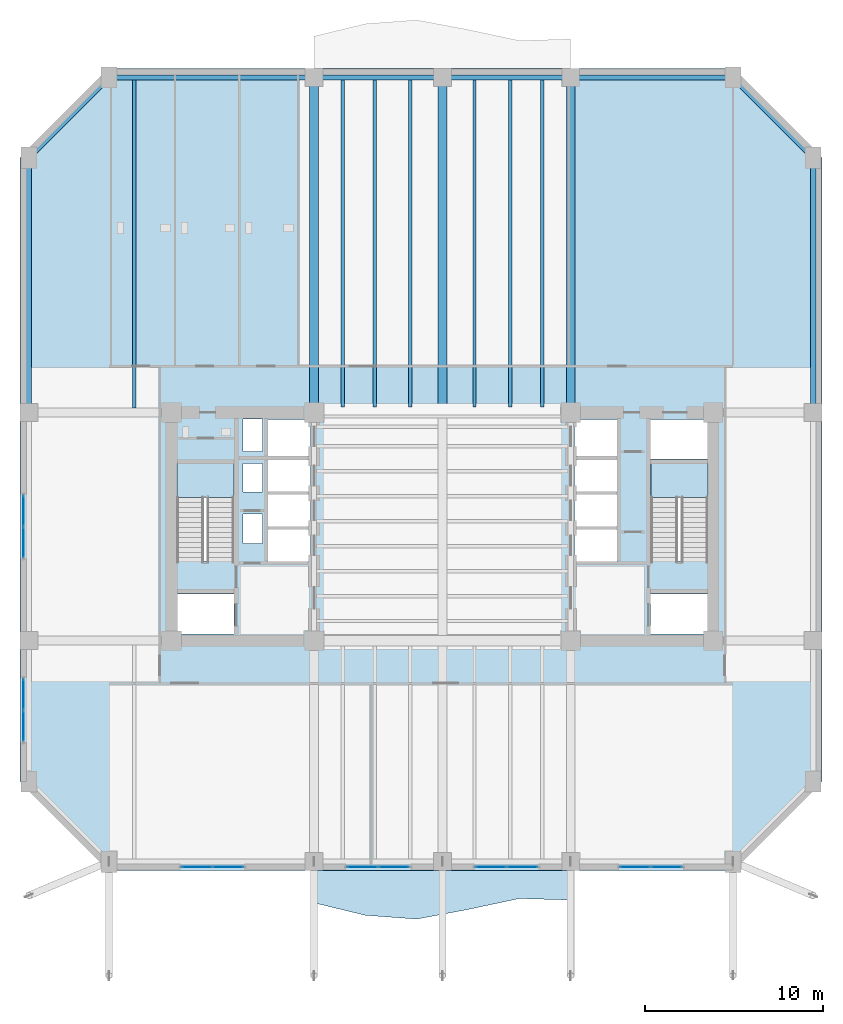
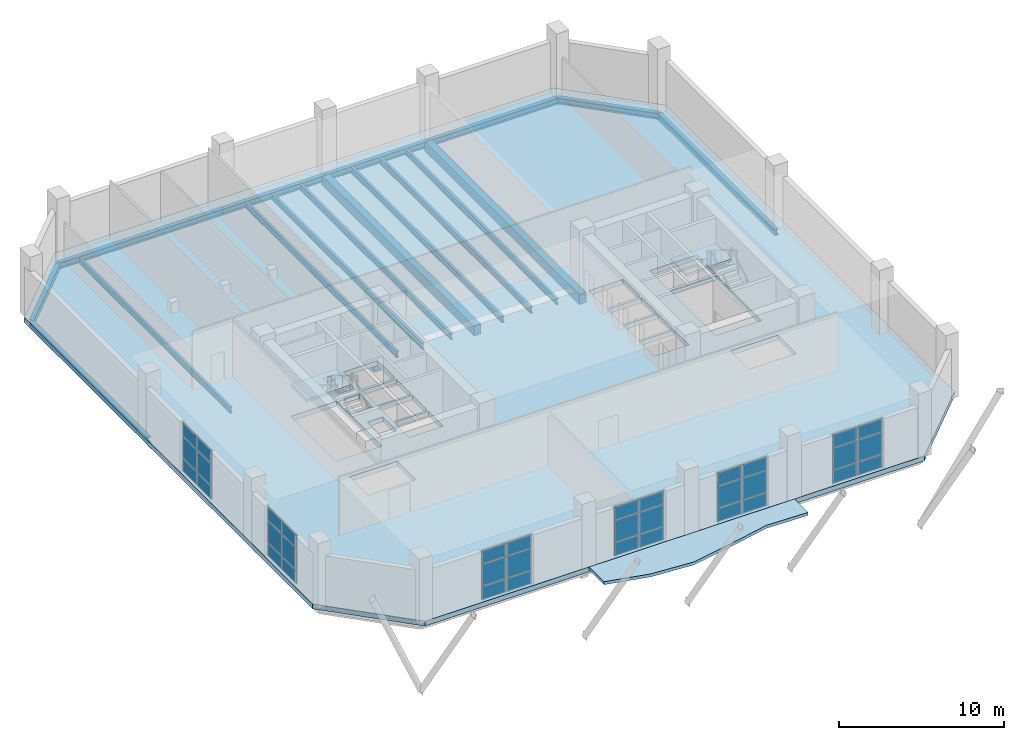
# One storey, part 5 of 16: 36 plates, 18 beams, 4 slabs, 8 elements without a shape of their own.
"""IFC4 building model written with IfcOpenShell, lengths in metres."""

from ifc_helpers import new_model, si_unit, direction, frame, origin, origin_2d, place, context, subcontext, project, spatial, polyline, rectangle, i_section, outline, extrude, material, layer, layer_set, material_profile, profile_set, type_object, element, aggregate, save


model = new_model("IFC4")

# Units and contexts
model_context = context("Model", 3, precision=1e-05, world=origin(), true_north=direction((0.0, 1.0)))
body_context = subcontext(model_context, "Body", "Model", "MODEL_VIEW")
ifc_project = project(units=[si_unit("LENGTHUNIT", "METRE"), si_unit("AREAUNIT", "SQUARE_METRE"), si_unit("VOLUMEUNIT", "CUBIC_METRE"), si_unit("PLANEANGLEUNIT", "RADIAN"), si_unit("MASSUNIT", "GRAM", prefix="KILO")], contexts=[model_context])

# Site, building, storey
site_placement = place(None, origin())
site = spatial("IfcSite", under=ifc_project, at=site_placement, CompositionType="ELEMENT")
building_placement = place(site_placement, origin())
building = spatial("IfcBuilding", under=site, at=building_placement, Name="Kranthara Brick Stack", CompositionType="ELEMENT")
storey_placement = place(building_placement, frame((0.0, 0.0, 115.5)))
storey = spatial("IfcBuildingStorey", under=building, at=storey_placement, Name="L28", CompositionType="ELEMENT", Elevation=115.5)

# Beams
ifc_material_1 = material(Name="Post-tensioned concrete C45/55", Category="concrete")
ifc_material_profile_1 = material_profile(ifc_material_1, rectangle(XDim=0.5, YDim=0.75, at=origin_2d()), Name="PT 500x750")
ifc_profile_set_1 = profile_set([ifc_material_profile_1], Name="Post-tensioned concrete C45/55")
beam_type_1 = type_object("IfcBeamType", Name="BM-FLR-PT750", PredefinedType="BEAM", material=ifc_profile_set_1)
beam_1_placement = place(storey_placement, frame((20.800048828125, 33.60009765625, -0.735107421875), z_axis=(0.0, 1.0, 0.0), x_axis=(-1.0, 0.0, 0.0)))
element("IfcBeam", 1, at=beam_1_placement, inside=storey, type_object=beam_type_1, Name="L28 Primary Grid Girder 024", PredefinedType="BEAM", context=body_context, shape_type="SweptSolid", body=[
    extrude(rectangle(XDim=0.5, YDim=0.75, at=origin_2d()), origin(), (0.0, 0.0, 1.0), 18.7998046875),
])
beam_2_placement = place(storey_placement, frame((28.0, 33.89990234375, -0.735107421875), z_axis=(0.0, 1.0, 0.0), x_axis=(-1.0, 0.0, 0.0)))
element("IfcBeam", 2, at=beam_2_placement, inside=storey, type_object=beam_type_1, Name="L28 Primary Grid Girder 027", PredefinedType="BEAM", context=body_context, shape_type="SweptSolid", body=[
    extrude(rectangle(XDim=0.5, YDim=0.75, at=origin_2d()), origin(), (0.0, 0.0, 1.0), 18.5),
])
beam_3_placement = place(storey_placement, frame((35.199951171875, 33.60009765625, -0.735107421875), z_axis=(0.0, 1.0, 0.0), x_axis=(-1.0, 0.0, 0.0)))
element("IfcBeam", 3, at=beam_3_placement, inside=storey, type_object=beam_type_1, Name="L28 Primary Grid Girder 029", PredefinedType="BEAM", context=body_context, shape_type="SweptSolid", body=[
    extrude(rectangle(XDim=0.5, YDim=0.75, at=origin_2d()), origin(), (0.0, 0.0, 1.0), 18.7998046875),
])
ifc_material_2 = material(Name="Steel S355", Category="steel")
ifc_material_profile_2 = material_profile(ifc_material_2, i_section(OverallWidth=0.18994140625, OverallDepth=0.449951171875, WebThickness=0.009521484375, FlangeThickness=0.0146484375, at=origin_2d()), Name="IPE 450")
ifc_profile_set_2 = profile_set([ifc_material_profile_2], Name="Steel S355")
beam_type_2 = type_object("IfcBeamType", Name="BM-JST-IPE450", PredefinedType="JOIST", material=ifc_profile_set_2)
beam_4_placement = place(storey_placement, frame((10.699951171875, 33.85009765625, -0.5849609375), z_axis=(0.0, 1.0, 0.0), x_axis=(-1.0, 0.0, 0.0)))
element("IfcBeam", 4, at=beam_4_placement, inside=storey, type_object=beam_type_2, Name="L28 North Wing Floor Joist 053", PredefinedType="JOIST", context=body_context, shape_type="SweptSolid", body=[
    extrude(i_section(OverallWidth=0.18994140625, OverallDepth=0.449951171875, WebThickness=0.009521484375, FlangeThickness=0.0146484375, at=origin_2d()), origin(), (0.0, 0.0, 1.0), 18.39990234375),
])
for number, where, z_axis, x_axis, name in (
    (5, (22.39990234375, 33.89990234375, -0.5849609375), (0.0, 1.0, 0.0), (-1.0, 0.0, 0.0), "L28 North Wing Floor Joist 055"),
    (6, (24.199951171875, 33.89990234375, -0.5849609375), (0.0, 1.0, 0.0), (-1.0, 0.0, 0.0), "L28 North Wing Floor Joist 057"),
    (7, (26.199951171875, 33.89990234375, -0.5849609375), (0.0, 1.0, 0.0), (-1.0, 0.0, 0.0), "L28 North Wing Floor Joist 059"),
    (8, (29.800048828125, 33.89990234375, -0.5849609375), (0.0, 1.0, 0.0), (-1.0, 0.0, 0.0), "L28 North Wing Floor Joist 061"),
    (9, (31.800048828125, 33.89990234375, -0.5849609375), (0.0, 1.0, 0.0), (-1.0, 0.0, 0.0), "L28 North Wing Floor Joist 063"),
    (10, (33.60009765625, 33.89990234375, -0.5849609375), (0.0, 1.0, 0.0), (-1.0, 0.0, 0.0), "L28 North Wing Floor Joist 065"),
):
    element("IfcBeam", number, at=place(storey_placement, frame(where, z_axis=z_axis, x_axis=x_axis)), inside=storey, type_object=beam_type_2, Name=name, PredefinedType="JOIST", context=body_context, shape_type="SweptSolid", body=[
        extrude(i_section(OverallWidth=0.18994140625, OverallDepth=0.449951171875, WebThickness=0.009521484375, FlangeThickness=0.0146484375, at=origin_2d()), origin(), (0.0, 0.0, 1.0), 18.35009765625),
    ])
ifc_material_3 = material(Name="Steel S355", Category="steel")
ifc_material_profile_3 = material_profile(ifc_material_3, i_section(OverallWidth=0.300048828125, OverallDepth=0.449951171875, WebThickness=0.013916015625, FlangeThickness=0.02587890625, at=origin_2d()), Name="HEB 450")
ifc_profile_set_3 = profile_set([ifc_material_profile_3], Name="Steel S355")
beam_type_3 = type_object("IfcBeamType", Name="BM-STL-HEB450", PredefinedType="SPANDREL", material=ifc_profile_set_3)
beam_5_placement = place(storey_placement, frame((9.300048828125, 52.39990234375, -0.5849609375), z_axis=(1.0, 0.0, 0.0), x_axis=(0.0, 1.0, 0.0)))
element("IfcBeam", 11, at=beam_5_placement, inside=storey, type_object=beam_type_3, Name="L28 Perimeter Spandrel Beam 009", PredefinedType="SPANDREL", context=body_context, shape_type="SweptSolid", body=[
    extrude(i_section(OverallWidth=0.300048828125, OverallDepth=0.449951171875, WebThickness=0.013916015625, FlangeThickness=0.02587890625, at=origin_2d()), origin(), (0.0, 0.0, 1.0), 11.5),
])
for number, where, z_axis, x_axis, name in (
    (12, (20.800048828125, 52.39990234375, -0.5849609375), (1.0, 0.0, 0.0), (0.0, 1.0, 0.0), "L28 Perimeter Spandrel Beam 010"),
    (13, (28.0, 52.39990234375, -0.5849609375), (1.0, 0.0, 0.0), (0.0, 1.0, 0.0), "L28 Perimeter Spandrel Beam 011"),
):
    element("IfcBeam", number, at=place(storey_placement, frame(where, z_axis=z_axis, x_axis=x_axis)), inside=storey, type_object=beam_type_3, Name=name, PredefinedType="SPANDREL", context=body_context, shape_type="SweptSolid", body=[
        extrude(i_section(OverallWidth=0.300048828125, OverallDepth=0.449951171875, WebThickness=0.013916015625, FlangeThickness=0.02587890625, at=origin_2d()), origin(), (0.0, 0.0, 1.0), 7.199951171875),
    ])
beam_6_placement = place(storey_placement, frame((35.199951171875, 52.39990234375, -0.5849609375), z_axis=(1.0, 0.0, 0.0), x_axis=(0.0, 1.0, 0.0)))
element("IfcBeam", 14, at=beam_6_placement, inside=storey, type_object=beam_type_3, Name="L28 Perimeter Spandrel Beam 012", PredefinedType="SPANDREL", context=body_context, shape_type="SweptSolid", body=[
    extrude(i_section(OverallWidth=0.300048828125, OverallDepth=0.449951171875, WebThickness=0.013916015625, FlangeThickness=0.02587890625, at=origin_2d()), origin(), (0.0, 0.0, 1.0), 9.10009765625),
])
for number, where, z_axis, x_axis, name in (
    (15, (4.800048828125, 33.60009765625, -0.5849609375), (0.0, 1.0, 0.0), (-1.0, 0.0, 0.0), "L28 Perimeter Spandrel Beam 015"),
    (16, (48.800048828125, 33.60009765625, -0.5849609375), (0.0, 1.0, 0.0), (-1.0, 0.0, 0.0), "L28 Perimeter Spandrel Beam 018"),
):
    element("IfcBeam", number, at=place(storey_placement, frame(where, z_axis=z_axis, x_axis=x_axis)), inside=storey, type_object=beam_type_3, Name=name, PredefinedType="SPANDREL", context=body_context, shape_type="SweptSolid", body=[
        extrude(i_section(OverallWidth=0.300048828125, OverallDepth=0.449951171875, WebThickness=0.013916015625, FlangeThickness=0.02587890625, at=origin_2d()), origin(), (0.0, 0.0, 1.0), 14.2998046875),
    ])
for number, where, z_axis, x_axis, name in (
    (17, (9.300048828125, 52.39990234375, -0.5849609375), (-0.707106781187, -0.707106781187, 0.0), (0.707106781187, -0.707106781187, 0.0), "L28 Chamfer Corner Spandrel 021"),
    (18, (44.300048828125, 52.39990234375, -0.5849609375), (0.707106781187, -0.707106781187, 0.0), (0.707106781187, 0.707106781187, 0.0), "L28 Chamfer Corner Spandrel 022"),
):
    element("IfcBeam", number, at=place(storey_placement, frame(where, z_axis=z_axis, x_axis=x_axis)), inside=storey, type_object=beam_type_3, Name=name, PredefinedType="SPANDREL", context=body_context, shape_type="SweptSolid", body=[
        extrude(i_section(OverallWidth=0.300048828125, OverallDepth=0.449951171875, WebThickness=0.013916015625, FlangeThickness=0.02587890625, at=origin_2d()), origin(), (0.0, 0.0, 1.0), 6.364013671875),
    ])

# Curtain wall, plates
ifc_material_4 = material(Name="Bronze anodised aluminium and low-E glass", Category="aluminium")
ifc_layer_1 = layer(ifc_material_4, 0.219970703125)
ifc_layer_set_1 = layer_set([ifc_layer_1], Name="Bronze anodised aluminium and low-E glass")
curtain_wall_type = type_object("IfcCurtainWallType", Name="CW-SYS3-SKYLOBBY1", PredefinedType="USERDEFINED", material=ifc_layer_set_1)
curtain_wall_1_placement = place(storey_placement, origin())
curtain_wall_1 = element("IfcCurtainWall", 19, at=curtain_wall_1_placement, inside=storey, type_object=curtain_wall_type, Name="L28 Curtain Wall CW3-L28-01", ObjectType="UNITISED CURTAIN WALL", PredefinedType="USERDEFINED")
ifc_material_5 = material(Name="Triple-laminated acoustic low-E glass", Category="glass")
ifc_layer_2 = layer(ifc_material_5, 0.035888671875)
ifc_layer_set_2 = layer_set([ifc_layer_2], Name="Triple-laminated acoustic low-E glass")
plate_type = type_object("IfcPlateType", Name="CWP-GLZ-36", PredefinedType="CURTAIN_PANEL", material=ifc_layer_set_2)
plate_1_placement = place(storey_placement, frame((40.581298828125, 8.094970703125, 0.0751953125), z_axis=(0.0, 0.0, 1.0), x_axis=(-1.0, 0.0, 0.0)))
plate_1 = element("IfcPlate", 20, at=plate_1_placement, type_object=plate_type, Name="CW panel 1.1", PredefinedType="CURTAIN_PANEL", context=body_context, shape_type="SweptSolid", body=[
    extrude(rectangle(XDim=1.6875, YDim=0.035888671875, at=origin_2d()), origin(), (0.0, 0.0, 1.0), 0.933349609375),
])
plate_2_placement = place(storey_placement, frame((40.581298828125, 8.094970703125, 1.083251953125), z_axis=(0.0, 0.0, 1.0), x_axis=(-1.0, 0.0, 0.0)))
plate_2 = element("IfcPlate", 21, at=plate_2_placement, type_object=plate_type, Name="CW panel 1.2", PredefinedType="CURTAIN_PANEL", context=body_context, shape_type="SweptSolid", body=[
    extrude(rectangle(XDim=1.6875, YDim=0.035888671875, at=origin_2d()), origin(), (0.0, 0.0, 1.0), 1.568359375),
])
plate_3_placement = place(storey_placement, frame((40.581298828125, 8.094970703125, 2.7265625), z_axis=(0.0, 0.0, 1.0), x_axis=(-1.0, 0.0, 0.0)))
plate_3 = element("IfcPlate", 22, at=plate_3_placement, type_object=plate_type, Name="CW panel 1.3", PredefinedType="CURTAIN_PANEL", context=body_context, shape_type="SweptSolid", body=[
    extrude(rectangle(XDim=1.6875, YDim=0.035888671875, at=origin_2d()), origin(), (0.0, 0.0, 1.0), 0.933349609375),
])
plate_4_placement = place(storey_placement, frame((38.81884765625, 8.094970703125, 0.0751953125), z_axis=(0.0, 0.0, 1.0), x_axis=(-1.0, 0.0, 0.0)))
plate_4 = element("IfcPlate", 23, at=plate_4_placement, type_object=plate_type, Name="CW panel 2.1", PredefinedType="CURTAIN_PANEL", context=body_context, shape_type="SweptSolid", body=[
    extrude(rectangle(XDim=1.6875, YDim=0.035888671875, at=origin_2d()), origin(), (0.0, 0.0, 1.0), 0.933349609375),
])
plate_5_placement = place(storey_placement, frame((38.81884765625, 8.094970703125, 1.083251953125), z_axis=(0.0, 0.0, 1.0), x_axis=(-1.0, 0.0, 0.0)))
plate_5 = element("IfcPlate", 24, at=plate_5_placement, type_object=plate_type, Name="CW panel 2.2", PredefinedType="CURTAIN_PANEL", context=body_context, shape_type="SweptSolid", body=[
    extrude(rectangle(XDim=1.6875, YDim=0.035888671875, at=origin_2d()), origin(), (0.0, 0.0, 1.0), 1.568359375),
])
plate_6_placement = place(storey_placement, frame((38.81884765625, 8.094970703125, 2.7265625), z_axis=(0.0, 0.0, 1.0), x_axis=(-1.0, 0.0, 0.0)))
plate_6 = element("IfcPlate", 25, at=plate_6_placement, type_object=plate_type, Name="CW panel 2.3", PredefinedType="CURTAIN_PANEL", context=body_context, shape_type="SweptSolid", body=[
    extrude(rectangle(XDim=1.6875, YDim=0.035888671875, at=origin_2d()), origin(), (0.0, 0.0, 1.0), 0.933349609375),
])
aggregate(curtain_wall_1, [plate_1, plate_2, plate_3, plate_4, plate_5, plate_6])

curtain_wall_2_placement = place(storey_placement, origin())
curtain_wall_2 = element("IfcCurtainWall", 26, at=curtain_wall_2_placement, inside=storey, type_object=curtain_wall_type, Name="L28 Curtain Wall CW3-L28-02", ObjectType="UNITISED CURTAIN WALL", PredefinedType="USERDEFINED")
plate_7_placement = place(storey_placement, frame((32.481201171875, 8.094970703125, 0.0751953125), z_axis=(0.0, 0.0, 1.0), x_axis=(-1.0, 0.0, 0.0)))
plate_7 = element("IfcPlate", 27, at=plate_7_placement, type_object=plate_type, Name="CW panel 1.1", PredefinedType="CURTAIN_PANEL", context=body_context, shape_type="SweptSolid", body=[
    extrude(rectangle(XDim=1.6875, YDim=0.035888671875, at=origin_2d()), origin(), (0.0, 0.0, 1.0), 0.933349609375),
])
plate_8_placement = place(storey_placement, frame((32.481201171875, 8.094970703125, 1.083251953125), z_axis=(0.0, 0.0, 1.0), x_axis=(-1.0, 0.0, 0.0)))
plate_8 = element("IfcPlate", 28, at=plate_8_placement, type_object=plate_type, Name="CW panel 1.2", PredefinedType="CURTAIN_PANEL", context=body_context, shape_type="SweptSolid", body=[
    extrude(rectangle(XDim=1.6875, YDim=0.035888671875, at=origin_2d()), origin(), (0.0, 0.0, 1.0), 1.568359375),
])
plate_9_placement = place(storey_placement, frame((32.481201171875, 8.094970703125, 2.7265625), z_axis=(0.0, 0.0, 1.0), x_axis=(-1.0, 0.0, 0.0)))
plate_9 = element("IfcPlate", 29, at=plate_9_placement, type_object=plate_type, Name="CW panel 1.3", PredefinedType="CURTAIN_PANEL", context=body_context, shape_type="SweptSolid", body=[
    extrude(rectangle(XDim=1.6875, YDim=0.035888671875, at=origin_2d()), origin(), (0.0, 0.0, 1.0), 0.933349609375),
])
plate_10_placement = place(storey_placement, frame((30.71875, 8.094970703125, 0.0751953125), z_axis=(0.0, 0.0, 1.0), x_axis=(-1.0, 0.0, 0.0)))
plate_10 = element("IfcPlate", 30, at=plate_10_placement, type_object=plate_type, Name="CW panel 2.1", PredefinedType="CURTAIN_PANEL", context=body_context, shape_type="SweptSolid", body=[
    extrude(rectangle(XDim=1.6875, YDim=0.035888671875, at=origin_2d()), origin(), (0.0, 0.0, 1.0), 0.933349609375),
])
plate_11_placement = place(storey_placement, frame((30.71875, 8.094970703125, 1.083251953125), z_axis=(0.0, 0.0, 1.0), x_axis=(-1.0, 0.0, 0.0)))
plate_11 = element("IfcPlate", 31, at=plate_11_placement, type_object=plate_type, Name="CW panel 2.2", PredefinedType="CURTAIN_PANEL", context=body_context, shape_type="SweptSolid", body=[
    extrude(rectangle(XDim=1.6875, YDim=0.035888671875, at=origin_2d()), origin(), (0.0, 0.0, 1.0), 1.568359375),
])
plate_12_placement = place(storey_placement, frame((30.71875, 8.094970703125, 2.7265625), z_axis=(0.0, 0.0, 1.0), x_axis=(-1.0, 0.0, 0.0)))
plate_12 = element("IfcPlate", 32, at=plate_12_placement, type_object=plate_type, Name="CW panel 2.3", PredefinedType="CURTAIN_PANEL", context=body_context, shape_type="SweptSolid", body=[
    extrude(rectangle(XDim=1.6875, YDim=0.035888671875, at=origin_2d()), origin(), (0.0, 0.0, 1.0), 0.933349609375),
])
aggregate(curtain_wall_2, [plate_7, plate_8, plate_9, plate_10, plate_11, plate_12])

curtain_wall_3_placement = place(storey_placement, origin())
curtain_wall_3 = element("IfcCurtainWall", 33, at=curtain_wall_3_placement, inside=storey, type_object=curtain_wall_type, Name="L28 Curtain Wall CW3-L28-03", ObjectType="UNITISED CURTAIN WALL", PredefinedType="USERDEFINED")
plate_13_placement = place(storey_placement, frame((25.28125, 8.094970703125, 0.0751953125), z_axis=(0.0, 0.0, 1.0), x_axis=(-1.0, 0.0, 0.0)))
plate_13 = element("IfcPlate", 34, at=plate_13_placement, type_object=plate_type, Name="CW panel 1.1", PredefinedType="CURTAIN_PANEL", context=body_context, shape_type="SweptSolid", body=[
    extrude(rectangle(XDim=1.6875, YDim=0.035888671875, at=origin_2d()), origin(), (0.0, 0.0, 1.0), 0.933349609375),
])
plate_14_placement = place(storey_placement, frame((25.28125, 8.094970703125, 1.083251953125), z_axis=(0.0, 0.0, 1.0), x_axis=(-1.0, 0.0, 0.0)))
plate_14 = element("IfcPlate", 35, at=plate_14_placement, type_object=plate_type, Name="CW panel 1.2", PredefinedType="CURTAIN_PANEL", context=body_context, shape_type="SweptSolid", body=[
    extrude(rectangle(XDim=1.6875, YDim=0.035888671875, at=origin_2d()), origin(), (0.0, 0.0, 1.0), 1.568359375),
])
plate_15_placement = place(storey_placement, frame((25.28125, 8.094970703125, 2.7265625), z_axis=(0.0, 0.0, 1.0), x_axis=(-1.0, 0.0, 0.0)))
plate_15 = element("IfcPlate", 36, at=plate_15_placement, type_object=plate_type, Name="CW panel 1.3", PredefinedType="CURTAIN_PANEL", context=body_context, shape_type="SweptSolid", body=[
    extrude(rectangle(XDim=1.6875, YDim=0.035888671875, at=origin_2d()), origin(), (0.0, 0.0, 1.0), 0.933349609375),
])
plate_16_placement = place(storey_placement, frame((23.518798828125, 8.094970703125, 0.0751953125), z_axis=(0.0, 0.0, 1.0), x_axis=(-1.0, 0.0, 0.0)))
plate_16 = element("IfcPlate", 37, at=plate_16_placement, type_object=plate_type, Name="CW panel 2.1", PredefinedType="CURTAIN_PANEL", context=body_context, shape_type="SweptSolid", body=[
    extrude(rectangle(XDim=1.6875, YDim=0.035888671875, at=origin_2d()), origin(), (0.0, 0.0, 1.0), 0.933349609375),
])
plate_17_placement = place(storey_placement, frame((23.518798828125, 8.094970703125, 1.083251953125), z_axis=(0.0, 0.0, 1.0), x_axis=(-1.0, 0.0, 0.0)))
plate_17 = element("IfcPlate", 38, at=plate_17_placement, type_object=plate_type, Name="CW panel 2.2", PredefinedType="CURTAIN_PANEL", context=body_context, shape_type="SweptSolid", body=[
    extrude(rectangle(XDim=1.6875, YDim=0.035888671875, at=origin_2d()), origin(), (0.0, 0.0, 1.0), 1.568359375),
])
plate_18_placement = place(storey_placement, frame((23.518798828125, 8.094970703125, 2.7265625), z_axis=(0.0, 0.0, 1.0), x_axis=(-1.0, 0.0, 0.0)))
plate_18 = element("IfcPlate", 39, at=plate_18_placement, type_object=plate_type, Name="CW panel 2.3", PredefinedType="CURTAIN_PANEL", context=body_context, shape_type="SweptSolid", body=[
    extrude(rectangle(XDim=1.6875, YDim=0.035888671875, at=origin_2d()), origin(), (0.0, 0.0, 1.0), 0.933349609375),
])
aggregate(curtain_wall_3, [plate_13, plate_14, plate_15, plate_16, plate_17, plate_18])

curtain_wall_4_placement = place(storey_placement, origin())
curtain_wall_4 = element("IfcCurtainWall", 40, at=curtain_wall_4_placement, inside=storey, type_object=curtain_wall_type, Name="L28 Curtain Wall CW3-L28-04", ObjectType="UNITISED CURTAIN WALL", PredefinedType="USERDEFINED")
plate_19_placement = place(storey_placement, frame((15.981201171875, 8.094970703125, 0.0751953125), z_axis=(0.0, 0.0, 1.0), x_axis=(-1.0, 0.0, 0.0)))
plate_19 = element("IfcPlate", 41, at=plate_19_placement, type_object=plate_type, Name="CW panel 1.1", PredefinedType="CURTAIN_PANEL", context=body_context, shape_type="SweptSolid", body=[
    extrude(rectangle(XDim=1.6875, YDim=0.035888671875, at=origin_2d()), origin(), (0.0, 0.0, 1.0), 0.933349609375),
])
plate_20_placement = place(storey_placement, frame((15.981201171875, 8.094970703125, 1.083251953125), z_axis=(0.0, 0.0, 1.0), x_axis=(-1.0, 0.0, 0.0)))
plate_20 = element("IfcPlate", 42, at=plate_20_placement, type_object=plate_type, Name="CW panel 1.2", PredefinedType="CURTAIN_PANEL", context=body_context, shape_type="SweptSolid", body=[
    extrude(rectangle(XDim=1.6875, YDim=0.035888671875, at=origin_2d()), origin(), (0.0, 0.0, 1.0), 1.568359375),
])
plate_21_placement = place(storey_placement, frame((15.981201171875, 8.094970703125, 2.7265625), z_axis=(0.0, 0.0, 1.0), x_axis=(-1.0, 0.0, 0.0)))
plate_21 = element("IfcPlate", 43, at=plate_21_placement, type_object=plate_type, Name="CW panel 1.3", PredefinedType="CURTAIN_PANEL", context=body_context, shape_type="SweptSolid", body=[
    extrude(rectangle(XDim=1.6875, YDim=0.035888671875, at=origin_2d()), origin(), (0.0, 0.0, 1.0), 0.933349609375),
])
plate_22_placement = place(storey_placement, frame((14.21875, 8.094970703125, 0.0751953125), z_axis=(0.0, 0.0, 1.0), x_axis=(-1.0, 0.0, 0.0)))
plate_22 = element("IfcPlate", 44, at=plate_22_placement, type_object=plate_type, Name="CW panel 2.1", PredefinedType="CURTAIN_PANEL", context=body_context, shape_type="SweptSolid", body=[
    extrude(rectangle(XDim=1.6875, YDim=0.035888671875, at=origin_2d()), origin(), (0.0, 0.0, 1.0), 0.933349609375),
])
plate_23_placement = place(storey_placement, frame((14.21875, 8.094970703125, 1.083251953125), z_axis=(0.0, 0.0, 1.0), x_axis=(-1.0, 0.0, 0.0)))
plate_23 = element("IfcPlate", 45, at=plate_23_placement, type_object=plate_type, Name="CW panel 2.2", PredefinedType="CURTAIN_PANEL", context=body_context, shape_type="SweptSolid", body=[
    extrude(rectangle(XDim=1.6875, YDim=0.035888671875, at=origin_2d()), origin(), (0.0, 0.0, 1.0), 1.568359375),
])
plate_24_placement = place(storey_placement, frame((14.21875, 8.094970703125, 2.7265625), z_axis=(0.0, 0.0, 1.0), x_axis=(-1.0, 0.0, 0.0)))
plate_24 = element("IfcPlate", 46, at=plate_24_placement, type_object=plate_type, Name="CW panel 2.3", PredefinedType="CURTAIN_PANEL", context=body_context, shape_type="SweptSolid", body=[
    extrude(rectangle(XDim=1.6875, YDim=0.035888671875, at=origin_2d()), origin(), (0.0, 0.0, 1.0), 0.933349609375),
])
aggregate(curtain_wall_4, [plate_19, plate_20, plate_21, plate_22, plate_23, plate_24])

curtain_wall_5_placement = place(storey_placement, origin())
curtain_wall_5 = element("IfcCurtainWall", 47, at=curtain_wall_5_placement, inside=storey, type_object=curtain_wall_type, Name="L28 Curtain Wall CW3-L28-05", ObjectType="UNITISED CURTAIN WALL", PredefinedType="USERDEFINED")
plate_25_placement = place(storey_placement, frame((4.4951171875, 16.018798828125, 0.0751953125), z_axis=(0.0, 0.0, 1.0), x_axis=(0.0, 1.0, 0.0)))
plate_25 = element("IfcPlate", 48, at=plate_25_placement, type_object=plate_type, Name="CW panel 1.1", PredefinedType="CURTAIN_PANEL", context=body_context, shape_type="SweptSolid", body=[
    extrude(rectangle(XDim=1.6875, YDim=0.035888671875, at=origin_2d()), origin(), (0.0, 0.0, 1.0), 0.933349609375),
])
plate_26_placement = place(storey_placement, frame((4.4951171875, 16.018798828125, 1.083251953125), z_axis=(0.0, 0.0, 1.0), x_axis=(0.0, 1.0, 0.0)))
plate_26 = element("IfcPlate", 49, at=plate_26_placement, type_object=plate_type, Name="CW panel 1.2", PredefinedType="CURTAIN_PANEL", context=body_context, shape_type="SweptSolid", body=[
    extrude(rectangle(XDim=1.6875, YDim=0.035888671875, at=origin_2d()), origin(), (0.0, 0.0, 1.0), 1.568359375),
])
plate_27_placement = place(storey_placement, frame((4.4951171875, 16.018798828125, 2.7265625), z_axis=(0.0, 0.0, 1.0), x_axis=(0.0, 1.0, 0.0)))
plate_27 = element("IfcPlate", 50, at=plate_27_placement, type_object=plate_type, Name="CW panel 1.3", PredefinedType="CURTAIN_PANEL", context=body_context, shape_type="SweptSolid", body=[
    extrude(rectangle(XDim=1.6875, YDim=0.035888671875, at=origin_2d()), origin(), (0.0, 0.0, 1.0), 0.933349609375),
])
plate_28_placement = place(storey_placement, frame((4.4951171875, 17.78125, 0.0751953125), z_axis=(0.0, 0.0, 1.0), x_axis=(0.0, 1.0, 0.0)))
plate_28 = element("IfcPlate", 51, at=plate_28_placement, type_object=plate_type, Name="CW panel 2.1", PredefinedType="CURTAIN_PANEL", context=body_context, shape_type="SweptSolid", body=[
    extrude(rectangle(XDim=1.6875, YDim=0.035888671875, at=origin_2d()), origin(), (0.0, 0.0, 1.0), 0.933349609375),
])
plate_29_placement = place(storey_placement, frame((4.4951171875, 17.78125, 1.083251953125), z_axis=(0.0, 0.0, 1.0), x_axis=(0.0, 1.0, 0.0)))
plate_29 = element("IfcPlate", 52, at=plate_29_placement, type_object=plate_type, Name="CW panel 2.2", PredefinedType="CURTAIN_PANEL", context=body_context, shape_type="SweptSolid", body=[
    extrude(rectangle(XDim=1.6875, YDim=0.035888671875, at=origin_2d()), origin(), (0.0, 0.0, 1.0), 1.568359375),
])
plate_30_placement = place(storey_placement, frame((4.4951171875, 17.78125, 2.7265625), z_axis=(0.0, 0.0, 1.0), x_axis=(0.0, 1.0, 0.0)))
plate_30 = element("IfcPlate", 53, at=plate_30_placement, type_object=plate_type, Name="CW panel 2.3", PredefinedType="CURTAIN_PANEL", context=body_context, shape_type="SweptSolid", body=[
    extrude(rectangle(XDim=1.6875, YDim=0.035888671875, at=origin_2d()), origin(), (0.0, 0.0, 1.0), 0.933349609375),
])
aggregate(curtain_wall_5, [plate_25, plate_26, plate_27, plate_28, plate_29, plate_30])

curtain_wall_6_placement = place(storey_placement, origin())
curtain_wall_6 = element("IfcCurtainWall", 54, at=curtain_wall_6_placement, inside=storey, type_object=curtain_wall_type, Name="L28 Curtain Wall CW3-L28-06", ObjectType="UNITISED CURTAIN WALL", PredefinedType="USERDEFINED")
plate_31_placement = place(storey_placement, frame((4.4951171875, 26.31884765625, 0.0751953125), z_axis=(0.0, 0.0, 1.0), x_axis=(0.0, 1.0, 0.0)))
plate_31 = element("IfcPlate", 55, at=plate_31_placement, type_object=plate_type, Name="CW panel 1.1", PredefinedType="CURTAIN_PANEL", context=body_context, shape_type="SweptSolid", body=[
    extrude(rectangle(XDim=1.6875, YDim=0.035888671875, at=origin_2d()), origin(), (0.0, 0.0, 1.0), 0.933349609375),
])
plate_32_placement = place(storey_placement, frame((4.4951171875, 26.31884765625, 1.083251953125), z_axis=(0.0, 0.0, 1.0), x_axis=(0.0, 1.0, 0.0)))
plate_32 = element("IfcPlate", 56, at=plate_32_placement, type_object=plate_type, Name="CW panel 1.2", PredefinedType="CURTAIN_PANEL", context=body_context, shape_type="SweptSolid", body=[
    extrude(rectangle(XDim=1.6875, YDim=0.035888671875, at=origin_2d()), origin(), (0.0, 0.0, 1.0), 1.568359375),
])
plate_33_placement = place(storey_placement, frame((4.4951171875, 26.31884765625, 2.7265625), z_axis=(0.0, 0.0, 1.0), x_axis=(0.0, 1.0, 0.0)))
plate_33 = element("IfcPlate", 57, at=plate_33_placement, type_object=plate_type, Name="CW panel 1.3", PredefinedType="CURTAIN_PANEL", context=body_context, shape_type="SweptSolid", body=[
    extrude(rectangle(XDim=1.6875, YDim=0.035888671875, at=origin_2d()), origin(), (0.0, 0.0, 1.0), 0.933349609375),
])
plate_34_placement = place(storey_placement, frame((4.4951171875, 28.081298828125, 0.0751953125), z_axis=(0.0, 0.0, 1.0), x_axis=(0.0, 1.0, 0.0)))
plate_34 = element("IfcPlate", 58, at=plate_34_placement, type_object=plate_type, Name="CW panel 2.1", PredefinedType="CURTAIN_PANEL", context=body_context, shape_type="SweptSolid", body=[
    extrude(rectangle(XDim=1.6875, YDim=0.035888671875, at=origin_2d()), origin(), (0.0, 0.0, 1.0), 0.933349609375),
])
plate_35_placement = place(storey_placement, frame((4.4951171875, 28.081298828125, 1.083251953125), z_axis=(0.0, 0.0, 1.0), x_axis=(0.0, 1.0, 0.0)))
plate_35 = element("IfcPlate", 59, at=plate_35_placement, type_object=plate_type, Name="CW panel 2.2", PredefinedType="CURTAIN_PANEL", context=body_context, shape_type="SweptSolid", body=[
    extrude(rectangle(XDim=1.6875, YDim=0.035888671875, at=origin_2d()), origin(), (0.0, 0.0, 1.0), 1.568359375),
])
plate_36_placement = place(storey_placement, frame((4.4951171875, 28.081298828125, 2.7265625), z_axis=(0.0, 0.0, 1.0), x_axis=(0.0, 1.0, 0.0)))
plate_36 = element("IfcPlate", 60, at=plate_36_placement, type_object=plate_type, Name="CW panel 2.3", PredefinedType="CURTAIN_PANEL", context=body_context, shape_type="SweptSolid", body=[
    extrude(rectangle(XDim=1.6875, YDim=0.035888671875, at=origin_2d()), origin(), (0.0, 0.0, 1.0), 0.933349609375),
])
aggregate(curtain_wall_6, [plate_31, plate_32, plate_33, plate_34, plate_35, plate_36])

# Slab
ifc_material_6 = material(Name="Concrete C45/55", Category="concrete")
ifc_layer_3 = layer(ifc_material_6, 0.219970703125)
ifc_layer_set_3 = layer_set([ifc_layer_3], Name="Concrete C45/55")
slab_type_1 = type_object("IfcSlabType", Name="SLB-BALC-220", PredefinedType="FLOOR", material=ifc_layer_set_3)
slab_1_placement = place(storey_placement, frame((0.0, 0.0, -0.219970703125)))
element("IfcSlab", 61, at=slab_1_placement, inside=storey, type_object=slab_type_1, Name="L28 South Rippling Balcony Slab", PredefinedType="FLOOR", context=body_context, shape_type="SweptSolid", body=[
    extrude(outline(polyline([(20.800048828125, 7.89990234375), (35.199951171875, 7.89990234375), (35.199951171875, 6.246337890625), (32.320068359375, 6.3310546875), (29.43994140625, 5.716552734375), (26.56005859375, 5.175537109375), (23.679931640625, 5.388427734375), (20.800048828125, 6.08740234375), (20.800048828125, 7.89990234375)])), origin(), (0.0, 0.0, 1.0), 0.219970703125),
])

# Stair, slab
ifc_material_7 = material(Name="Concrete C45/55", Category="concrete")
stair_type = type_object("IfcStairType", Name="ST-CORE-28R", PredefinedType="HALF_TURN_STAIR", material=ifc_material_7)
stair_1_placement = place(storey_placement, origin())
stair_1 = element("IfcStair", 62, at=stair_1_placement, inside=storey, type_object=stair_type, Name="L28 West Core Protected Exit Stair ST01", PredefinedType="HALF_TURN_STAIR")
ifc_material_8 = material(Name="Concrete C45/55", Category="concrete")
ifc_layer_4 = layer(ifc_material_8, 0.199951171875)
ifc_layer_set_4 = layer_set([ifc_layer_4], Name="Concrete C45/55")
slab_type_2 = type_object("IfcSlabType", Name="SLB-LANDING-200", PredefinedType="LANDING", material=ifc_layer_set_4)
slab_2_placement = place(storey_placement, frame((0.0, 0.0, 2.199951171875)))
slab_2 = element("IfcSlab", 63, at=slab_2_placement, type_object=slab_type_2, Name="ST01 landing 1", PredefinedType="LANDING", context=body_context, shape_type="SweptSolid", body=[
    extrude(outline(polyline([(16.300048828125, 28.840087890625), (16.300048828125, 30.75), (13.10009765625, 30.75), (13.10009765625, 28.840087890625), (16.300048828125, 28.840087890625)])), origin(), (0.0, 0.0, 1.0), 0.199951171875),
])
aggregate(stair_1, [slab_2])

stair_2_placement = place(storey_placement, origin())
stair_2 = element("IfcStair", 64, at=stair_2_placement, inside=storey, type_object=stair_type, Name="L28 East Core Protected Exit Stair ST02", PredefinedType="HALF_TURN_STAIR")
slab_3_placement = place(storey_placement, frame((0.0, 0.0, 2.199951171875)))
slab_3 = element("IfcSlab", 65, at=slab_3_placement, type_object=slab_type_2, Name="ST02 landing 1", PredefinedType="LANDING", context=body_context, shape_type="SweptSolid", body=[
    extrude(outline(polyline([(42.89990234375, 28.840087890625), (42.89990234375, 30.75), (39.699951171875, 30.75), (39.699951171875, 28.840087890625), (42.89990234375, 28.840087890625)])), origin(), (0.0, 0.0, 1.0), 0.199951171875),
])
aggregate(stair_2, [slab_3])

# Slab
ifc_material_9 = material(Name="Post-tensioned concrete C45/55", Category="concrete")
ifc_layer_5 = layer(ifc_material_9, 0.360107421875)
ifc_layer_set_5 = layer_set([ifc_layer_5], Name="Post-tensioned concrete C45/55")
slab_type_3 = type_object("IfcSlabType", Name="SLB-SKY-360", PredefinedType="FLOOR", material=ifc_layer_set_5)
slab_4_placement = place(storey_placement, frame((0.0, 0.0, -0.360107421875)))
element("IfcSlab", 66, at=slab_4_placement, inside=storey, type_object=slab_type_3, Name="L28 Structural Floor Plate", PredefinedType="FLOOR", context=body_context, shape_type="SweptSolid", body=[
    extrude(outline(polyline([(9.300048828125, 7.89990234375), (44.300048828125, 7.89990234375), (49.300048828125, 12.89990234375), (49.300048828125, 47.89990234375), (44.300048828125, 52.89990234375), (9.300048828125, 52.89990234375), (4.300048828125, 47.89990234375), (4.300048828125, 12.89990234375), (9.300048828125, 7.89990234375)]), holes=[polyline([(13.10009765625, 25.280029296875), (16.300048828125, 25.280029296875), (16.300048828125, 30.75), (13.10009765625, 30.75), (13.10009765625, 25.280029296875)]), polyline([(39.699951171875, 25.280029296875), (42.89990234375, 25.280029296875), (42.89990234375, 30.75), (39.699951171875, 30.75), (39.699951171875, 25.280029296875)]), polyline([(13.0, 21.179931640625), (16.320068359375, 21.179931640625), (16.320068359375, 23.419921875), (13.0, 23.419921875), (13.0, 21.179931640625)]), polyline([(39.679931640625, 21.179931640625), (43.0, 21.179931640625), (43.0, 23.419921875), (39.679931640625, 23.419921875), (39.679931640625, 21.179931640625)]), polyline([(39.679931640625, 30.97998046875), (43.0, 30.97998046875), (43.0, 33.219970703125), (39.679931640625, 33.219970703125), (39.679931640625, 30.97998046875)]), polyline([(18.199951171875, 25.25), (20.60009765625, 25.25), (20.60009765625, 27.050048828125), (18.199951171875, 27.050048828125), (18.199951171875, 25.25)]), polyline([(18.199951171875, 27.199951171875), (20.60009765625, 27.199951171875), (20.60009765625, 29.0), (18.199951171875, 29.0), (18.199951171875, 27.199951171875)]), polyline([(18.199951171875, 29.14990234375), (20.60009765625, 29.14990234375), (20.60009765625, 30.949951171875), (18.199951171875, 30.949951171875), (18.199951171875, 29.14990234375)]), polyline([(35.39990234375, 25.25), (37.800048828125, 25.25), (37.800048828125, 27.050048828125), (35.39990234375, 27.050048828125), (35.39990234375, 25.25)]), polyline([(35.39990234375, 27.199951171875), (37.800048828125, 27.199951171875), (37.800048828125, 29.0), (35.39990234375, 29.0), (35.39990234375, 27.199951171875)]), polyline([(35.39990234375, 29.14990234375), (37.800048828125, 29.14990234375), (37.800048828125, 30.949951171875), (35.39990234375, 30.949951171875), (35.39990234375, 29.14990234375)]), polyline([(18.199951171875, 31.14990234375), (20.60009765625, 31.14990234375), (20.60009765625, 33.219970703125), (18.199951171875, 33.219970703125), (18.199951171875, 31.14990234375)]), polyline([(35.39990234375, 31.14990234375), (37.800048828125, 31.14990234375), (37.800048828125, 33.219970703125), (35.39990234375, 33.219970703125), (35.39990234375, 31.14990234375)]), polyline([(16.800048828125, 26.25), (17.89990234375, 26.25), (17.89990234375, 27.89990234375), (16.800048828125, 27.89990234375), (16.800048828125, 26.25)]), polyline([(16.800048828125, 29.14990234375), (17.89990234375, 29.14990234375), (17.89990234375, 30.75), (16.800048828125, 30.75), (16.800048828125, 29.14990234375)]), polyline([(16.800048828125, 31.39990234375), (17.89990234375, 31.39990234375), (17.89990234375, 33.25), (16.800048828125, 33.25), (16.800048828125, 31.39990234375)])]), origin(), (0.0, 0.0, 1.0), 0.360107421875),
])

save(model, "model.ifc")
